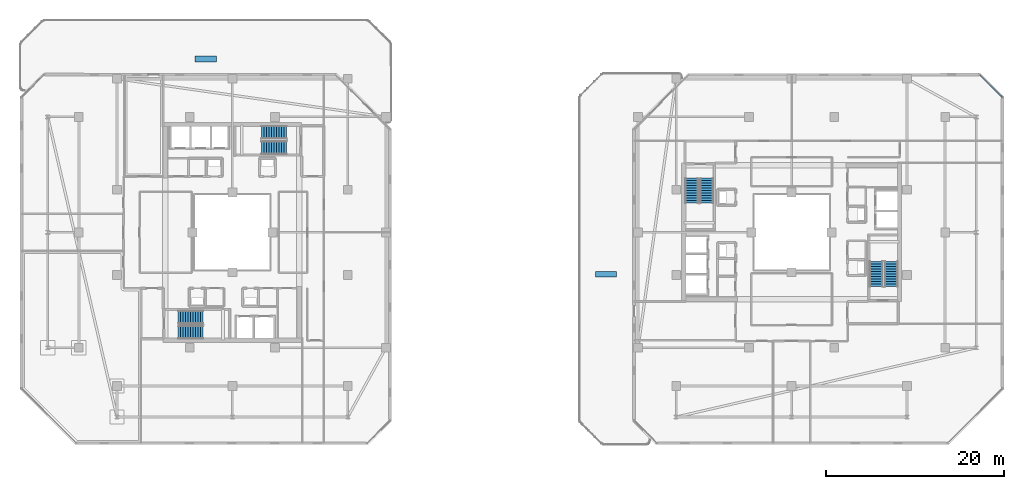
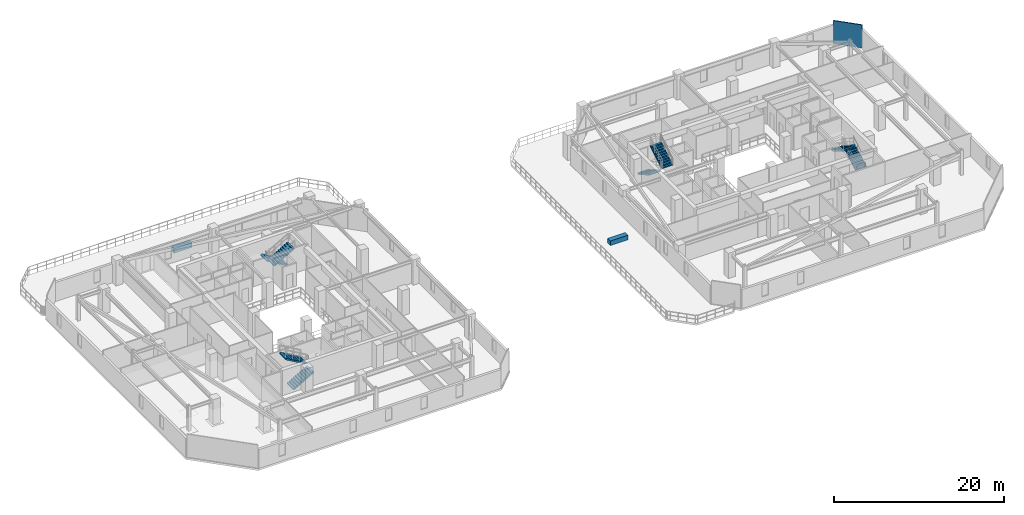
# One storey, part 24 of 29: 8 stair flights, 2 discrete accessories, 1 wall, 4 elements without a shape of their own.
"""IFC4 building model written with IfcOpenShell, lengths in metres."""

from ifc_helpers import new_model, si_unit, direction, frame, frame_2d, origin, origin_2d, place, context, subcontext, project, spatial, polyline, rectangle, outline, extrude, material, layer, layer_set, type_object, element, aggregate, save


model = new_model("IFC4")

# Units and contexts
model_context = context("Model", 3, precision=1e-05, world=origin(), true_north=direction((0.0, 1.0)))
body_context = subcontext(model_context, "Body", "Model", "MODEL_VIEW")
ifc_project = project(units=[si_unit("LENGTHUNIT", "METRE"), si_unit("AREAUNIT", "SQUARE_METRE"), si_unit("VOLUMEUNIT", "CUBIC_METRE"), si_unit("PLANEANGLEUNIT", "RADIAN"), si_unit("MASSUNIT", "GRAM", prefix="KILO")], contexts=[model_context])

# Site, building, storey
site_placement = place(None, origin())
site = spatial("IfcSite", under=ifc_project, at=site_placement, CompositionType="ELEMENT")
building_placement = place(site_placement, origin())
building = spatial("IfcBuilding", under=site, at=building_placement, Name="Thornwick Lancets Civic Towers", CompositionType="ELEMENT")
storey_placement = place(building_placement, frame((0.0, 0.0, 229.5)))
storey = spatial("IfcBuildingStorey", under=building, at=storey_placement, Name="L61", CompositionType="ELEMENT", Elevation=229.5)

# Wall
ifc_material_1 = material(Name="Acoustic gypsum board partition")
ifc_layer = layer(ifc_material_1, 0.1201171875, Name="Acoustic gypsum board partition")
ifc_layer_set = layer_set([ifc_layer], Name="Acoustic gypsum board partition")
wall_type = type_object("IfcWallType", Name="WALL_PART_120", PredefinedType="PARTITIONING", material=ifc_layer_set)
wall_placement = place(storey_placement, frame((109.725341796875, 44.719970703125, 0.0), z_axis=(0.0, 0.0, 1.0), x_axis=(0.707106781187, -0.707106781187, 0.0)))
element("IfcWall", 1, at=wall_placement, inside=storey, type_object=wall_type, Name="L61 Partition L61-B-E1 E4", PredefinedType="PARTITIONING", context=body_context, shape_type="SweptSolid", body=[
    extrude(rectangle(XDim=3.52783203125, YDim=0.1201171875, at=frame_2d((1.763916015625, 0.0))), origin(), (0.0, 0.0, 1.0), 3.300048828125),
])

# Stair, stair flights
ifc_material_2 = material(Name="Concrete C40/50", Category="concrete")
stair_type = type_object("IfcStairType", Name="STAIR_DL_3600", PredefinedType="HALF_TURN_STAIR", material=ifc_material_2)
stair_1_placement = place(storey_placement, origin())
stair_1 = element("IfcStair", 2, at=stair_1_placement, inside=storey, type_object=stair_type, Name="L61 Tower A South Exit Stair ST-A1", PredefinedType="HALF_TURN_STAIR")
stair_flight_type = type_object("IfcStairFlightType", Name="FLIGHT_3600", PredefinedType="STRAIGHT", material=ifc_material_2)
stair_flight_1_placement = place(storey_placement, frame((19.39990234375, 15.75, 0.0), z_axis=(0.0, 0.0, 1.0), x_axis=(1.0, 0.0, 0.0)))
stair_flight_1 = element("IfcStairFlight", 3, at=stair_flight_1_placement, type_object=stair_flight_type, Name="ST-A1 flight 1", NumberOfRisers=11, NumberOfTreads=10, PredefinedType="STRAIGHT", RiserHeight=0.163636364, TreadLength=0.28, context=body_context, shape_type="SweptSolid", body=[
    extrude(outline(polyline([(0.0, 0.0), (0.0, 0.16357421875), (0.280029296875, 0.16357421875), (0.280029296875, 0.327392578125), (0.56005859375, 0.327392578125), (0.56005859375, 0.490966796875), (0.840087890625, 0.490966796875), (0.840087890625, 0.654541015625), (1.1201171875, 0.654541015625), (1.1201171875, 0.818115234375), (1.39990234375, 0.818115234375), (1.39990234375, 0.98193359375), (1.679931640625, 0.98193359375), (1.679931640625, 1.1455078125), (1.9599609375, 1.1455078125), (1.9599609375, 1.30908203125), (2.239990234375, 1.30908203125), (2.239990234375, 1.47265625), (2.52001953125, 1.47265625), (2.52001953125, 1.636474609375), (2.800048828125, 1.636474609375), (2.800048828125, 1.800048828125), (2.800048828125, 1.462646484375), (0.297119140625, 0.0), (0.0, 0.0)])), frame((0.0, 0.75, 0.0), z_axis=(0.0, -1.0, 0.0), x_axis=(1.0, 0.0, 0.0)), (0.0, 0.0, 1.0), 1.5),
])
stair_flight_2_placement = place(storey_placement, frame((22.199951171875, 17.449951171875, 1.800048828125), z_axis=(0.0, 0.0, 1.0), x_axis=(-1.0, 0.0, 0.0)))
stair_flight_2 = element("IfcStairFlight", 4, at=stair_flight_2_placement, type_object=stair_flight_type, Name="ST-A1 flight 2", NumberOfRisers=11, NumberOfTreads=10, PredefinedType="STRAIGHT", RiserHeight=0.163636364, TreadLength=0.28, context=body_context, shape_type="SweptSolid", body=[
    extrude(outline(polyline([(0.0, 0.0), (0.0, 0.16357421875), (0.280029296875, 0.16357421875), (0.280029296875, 0.327392578125), (0.56005859375, 0.327392578125), (0.56005859375, 0.490966796875), (0.840087890625, 0.490966796875), (0.840087890625, 0.654541015625), (1.1201171875, 0.654541015625), (1.1201171875, 0.818115234375), (1.39990234375, 0.818115234375), (1.39990234375, 0.98193359375), (1.679931640625, 0.98193359375), (1.679931640625, 1.1455078125), (1.9599609375, 1.1455078125), (1.9599609375, 1.30908203125), (2.239990234375, 1.30908203125), (2.239990234375, 1.47265625), (2.52001953125, 1.47265625), (2.52001953125, 1.636474609375), (2.800048828125, 1.636474609375), (2.800048828125, 1.800048828125), (2.800048828125, 1.462646484375), (0.297119140625, 0.0), (0.0, 0.0)])), frame((0.0, 0.75, 0.0), z_axis=(0.0, -1.0, 0.0), x_axis=(1.0, 0.0, 0.0)), (0.0, 0.0, 1.0), 1.5),
])
aggregate(stair_1, [stair_flight_1, stair_flight_2])

stair_2_placement = place(storey_placement, origin())
stair_2 = element("IfcStair", 5, at=stair_2_placement, inside=storey, type_object=stair_type, Name="L61 Tower A North Exit Stair ST-A2", PredefinedType="HALF_TURN_STAIR")
stair_flight_3_placement = place(storey_placement, frame((31.60009765625, 38.25, 0.0), z_axis=(0.0, 0.0, 1.0), x_axis=(-1.0, 0.0, 0.0)))
stair_flight_3 = element("IfcStairFlight", 6, at=stair_flight_3_placement, type_object=stair_flight_type, Name="ST-A2 flight 1", NumberOfRisers=11, NumberOfTreads=10, PredefinedType="STRAIGHT", RiserHeight=0.163636364, TreadLength=0.28, context=body_context, shape_type="SweptSolid", body=[
    extrude(outline(polyline([(0.0, 0.0), (0.0, 0.16357421875), (0.280029296875, 0.16357421875), (0.280029296875, 0.327392578125), (0.56005859375, 0.327392578125), (0.56005859375, 0.490966796875), (0.840087890625, 0.490966796875), (0.840087890625, 0.654541015625), (1.1201171875, 0.654541015625), (1.1201171875, 0.818115234375), (1.39990234375, 0.818115234375), (1.39990234375, 0.98193359375), (1.679931640625, 0.98193359375), (1.679931640625, 1.1455078125), (1.9599609375, 1.1455078125), (1.9599609375, 1.30908203125), (2.239990234375, 1.30908203125), (2.239990234375, 1.47265625), (2.52001953125, 1.47265625), (2.52001953125, 1.636474609375), (2.800048828125, 1.636474609375), (2.800048828125, 1.800048828125), (2.800048828125, 1.462646484375), (0.297119140625, 0.0), (0.0, 0.0)])), frame((0.0, 0.75, 0.0), z_axis=(0.0, -1.0, 0.0), x_axis=(1.0, 0.0, 0.0)), (0.0, 0.0, 1.0), 1.5),
])
stair_flight_4_placement = place(storey_placement, frame((28.800048828125, 36.550048828125, 1.800048828125), z_axis=(0.0, 0.0, 1.0), x_axis=(1.0, 0.0, 0.0)))
stair_flight_4 = element("IfcStairFlight", 7, at=stair_flight_4_placement, type_object=stair_flight_type, Name="ST-A2 flight 2", NumberOfRisers=11, NumberOfTreads=10, PredefinedType="STRAIGHT", RiserHeight=0.163636364, TreadLength=0.28, context=body_context, shape_type="SweptSolid", body=[
    extrude(outline(polyline([(0.0, 0.0), (0.0, 0.16357421875), (0.280029296875, 0.16357421875), (0.280029296875, 0.327392578125), (0.56005859375, 0.327392578125), (0.56005859375, 0.490966796875), (0.840087890625, 0.490966796875), (0.840087890625, 0.654541015625), (1.1201171875, 0.654541015625), (1.1201171875, 0.818115234375), (1.39990234375, 0.818115234375), (1.39990234375, 0.98193359375), (1.679931640625, 0.98193359375), (1.679931640625, 1.1455078125), (1.9599609375, 1.1455078125), (1.9599609375, 1.30908203125), (2.239990234375, 1.30908203125), (2.239990234375, 1.47265625), (2.52001953125, 1.47265625), (2.52001953125, 1.636474609375), (2.800048828125, 1.636474609375), (2.800048828125, 1.800048828125), (2.800048828125, 1.462646484375), (0.297119140625, 0.0), (0.0, 0.0)])), frame((0.0, 0.75, 0.0), z_axis=(0.0, -1.0, 0.0), x_axis=(1.0, 0.0, 0.0)), (0.0, 0.0, 1.0), 1.5),
])
aggregate(stair_2, [stair_flight_3, stair_flight_4])

stair_3_placement = place(storey_placement, origin())
stair_3 = element("IfcStair", 8, at=stair_3_placement, inside=storey, type_object=stair_type, Name="L61 Tower B East Exit Stair ST-B1", PredefinedType="HALF_TURN_STAIR")
stair_flight_5_placement = place(storey_placement, frame((99.75, 20.89990234375, 0.0), z_axis=(0.0, 0.0, 1.0), x_axis=(0.0, 1.0, 0.0)))
stair_flight_5 = element("IfcStairFlight", 9, at=stair_flight_5_placement, type_object=stair_flight_type, Name="ST-B1 flight 1", NumberOfRisers=11, NumberOfTreads=10, PredefinedType="STRAIGHT", RiserHeight=0.163636364, TreadLength=0.28, context=body_context, shape_type="SweptSolid", body=[
    extrude(outline(polyline([(0.0, 0.0), (0.0, 0.16357421875), (0.280029296875, 0.16357421875), (0.280029296875, 0.327392578125), (0.56005859375, 0.327392578125), (0.56005859375, 0.490966796875), (0.840087890625, 0.490966796875), (0.840087890625, 0.654541015625), (1.1201171875, 0.654541015625), (1.1201171875, 0.818115234375), (1.39990234375, 0.818115234375), (1.39990234375, 0.98193359375), (1.679931640625, 0.98193359375), (1.679931640625, 1.1455078125), (1.9599609375, 1.1455078125), (1.9599609375, 1.30908203125), (2.239990234375, 1.30908203125), (2.239990234375, 1.47265625), (2.52001953125, 1.47265625), (2.52001953125, 1.636474609375), (2.800048828125, 1.636474609375), (2.800048828125, 1.800048828125), (2.800048828125, 1.462646484375), (0.297119140625, 0.0), (0.0, 0.0)])), frame((0.0, 0.75, 0.0), z_axis=(0.0, -1.0, 0.0), x_axis=(1.0, 0.0, 0.0)), (0.0, 0.0, 1.0), 1.5),
])
stair_flight_6_placement = place(storey_placement, frame((98.050048828125, 23.699951171875, 1.800048828125), z_axis=(0.0, 0.0, 1.0), x_axis=(0.0, -1.0, 0.0)))
stair_flight_6 = element("IfcStairFlight", 10, at=stair_flight_6_placement, type_object=stair_flight_type, Name="ST-B1 flight 2", NumberOfRisers=11, NumberOfTreads=10, PredefinedType="STRAIGHT", RiserHeight=0.163636364, TreadLength=0.28, context=body_context, shape_type="SweptSolid", body=[
    extrude(outline(polyline([(0.0, 0.0), (0.0, 0.16357421875), (0.280029296875, 0.16357421875), (0.280029296875, 0.327392578125), (0.56005859375, 0.327392578125), (0.56005859375, 0.490966796875), (0.840087890625, 0.490966796875), (0.840087890625, 0.654541015625), (1.1201171875, 0.654541015625), (1.1201171875, 0.818115234375), (1.39990234375, 0.818115234375), (1.39990234375, 0.98193359375), (1.679931640625, 0.98193359375), (1.679931640625, 1.1455078125), (1.9599609375, 1.1455078125), (1.9599609375, 1.30908203125), (2.239990234375, 1.30908203125), (2.239990234375, 1.47265625), (2.52001953125, 1.47265625), (2.52001953125, 1.636474609375), (2.800048828125, 1.636474609375), (2.800048828125, 1.800048828125), (2.800048828125, 1.462646484375), (0.297119140625, 0.0), (0.0, 0.0)])), frame((0.0, 0.75, 0.0), z_axis=(0.0, -1.0, 0.0), x_axis=(1.0, 0.0, 0.0)), (0.0, 0.0, 1.0), 1.5),
])
aggregate(stair_3, [stair_flight_5, stair_flight_6])

stair_4_placement = place(storey_placement, origin())
stair_4 = element("IfcStair", 11, at=stair_4_placement, inside=storey, type_object=stair_type, Name="L61 Tower B West Exit Stair ST-B2", PredefinedType="HALF_TURN_STAIR")
stair_flight_7_placement = place(storey_placement, frame((77.25, 33.10009765625, 0.0), z_axis=(0.0, 0.0, 1.0), x_axis=(0.0, -1.0, 0.0)))
stair_flight_7 = element("IfcStairFlight", 12, at=stair_flight_7_placement, type_object=stair_flight_type, Name="ST-B2 flight 1", NumberOfRisers=11, NumberOfTreads=10, PredefinedType="STRAIGHT", RiserHeight=0.163636364, TreadLength=0.28, context=body_context, shape_type="SweptSolid", body=[
    extrude(outline(polyline([(0.0, 0.0), (0.0, 0.16357421875), (0.280029296875, 0.16357421875), (0.280029296875, 0.327392578125), (0.56005859375, 0.327392578125), (0.56005859375, 0.490966796875), (0.840087890625, 0.490966796875), (0.840087890625, 0.654541015625), (1.1201171875, 0.654541015625), (1.1201171875, 0.818115234375), (1.39990234375, 0.818115234375), (1.39990234375, 0.98193359375), (1.679931640625, 0.98193359375), (1.679931640625, 1.1455078125), (1.9599609375, 1.1455078125), (1.9599609375, 1.30908203125), (2.239990234375, 1.30908203125), (2.239990234375, 1.47265625), (2.52001953125, 1.47265625), (2.52001953125, 1.636474609375), (2.800048828125, 1.636474609375), (2.800048828125, 1.800048828125), (2.800048828125, 1.462646484375), (0.297119140625, 0.0), (0.0, 0.0)])), frame((0.0, 0.75, 0.0), z_axis=(0.0, -1.0, 0.0), x_axis=(1.0, 0.0, 0.0)), (0.0, 0.0, 1.0), 1.5),
])
stair_flight_8_placement = place(storey_placement, frame((78.949951171875, 30.300048828125, 1.800048828125), z_axis=(0.0, 0.0, 1.0), x_axis=(0.0, 1.0, 0.0)))
stair_flight_8 = element("IfcStairFlight", 13, at=stair_flight_8_placement, type_object=stair_flight_type, Name="ST-B2 flight 2", NumberOfRisers=11, NumberOfTreads=10, PredefinedType="STRAIGHT", RiserHeight=0.163636364, TreadLength=0.28, context=body_context, shape_type="SweptSolid", body=[
    extrude(outline(polyline([(0.0, 0.0), (0.0, 0.16357421875), (0.280029296875, 0.16357421875), (0.280029296875, 0.327392578125), (0.56005859375, 0.327392578125), (0.56005859375, 0.490966796875), (0.840087890625, 0.490966796875), (0.840087890625, 0.654541015625), (1.1201171875, 0.654541015625), (1.1201171875, 0.818115234375), (1.39990234375, 0.818115234375), (1.39990234375, 0.98193359375), (1.679931640625, 0.98193359375), (1.679931640625, 1.1455078125), (1.9599609375, 1.1455078125), (1.9599609375, 1.30908203125), (2.239990234375, 1.30908203125), (2.239990234375, 1.47265625), (2.52001953125, 1.47265625), (2.52001953125, 1.636474609375), (2.800048828125, 1.636474609375), (2.800048828125, 1.800048828125), (2.800048828125, 1.462646484375), (0.297119140625, 0.0), (0.0, 0.0)])), frame((0.0, 0.75, 0.0), z_axis=(0.0, -1.0, 0.0), x_axis=(1.0, 0.0, 0.0)), (0.0, 0.0, 1.0), 1.5),
])
aggregate(stair_4, [stair_flight_7, stair_flight_8])

# Discrete accessories
ifc_material_3 = material(Name="Planted terracotta greenery planter", Category="masonry")
discrete_accessory_type = type_object("IfcDiscreteAccessoryType", Name="ACC_PLANTER_BOX", PredefinedType="USERDEFINED", material=ifc_material_3)
for number, where, z_axis, x_axis, name in (
    (14, (22.5, 46.516845703125, 0.0), (0.0, 0.0, 1.0), (1.0, 0.0, 0.0), "L61 Tower A Sky-Garden Planter 1"),
    (15, (67.590087890625, 22.290283203125, 0.0), (0.0, 0.0, 1.0), (1.0, 0.0, 0.0), "L61 Tower B Sky-Garden Planter 1"),
):
    element("IfcDiscreteAccessory", number, at=place(storey_placement, frame(where, z_axis=z_axis, x_axis=x_axis)), inside=storey, type_object=discrete_accessory_type, Name=name, ObjectType="PLANTER", PredefinedType="USERDEFINED", context=body_context, shape_type="SweptSolid", body=[
        extrude(rectangle(XDim=2.39990234375, YDim=0.64990234375, at=origin_2d()), origin(), (0.0, 0.0, 1.0), 0.64990234375),
    ])

save(model, "model.ifc")
